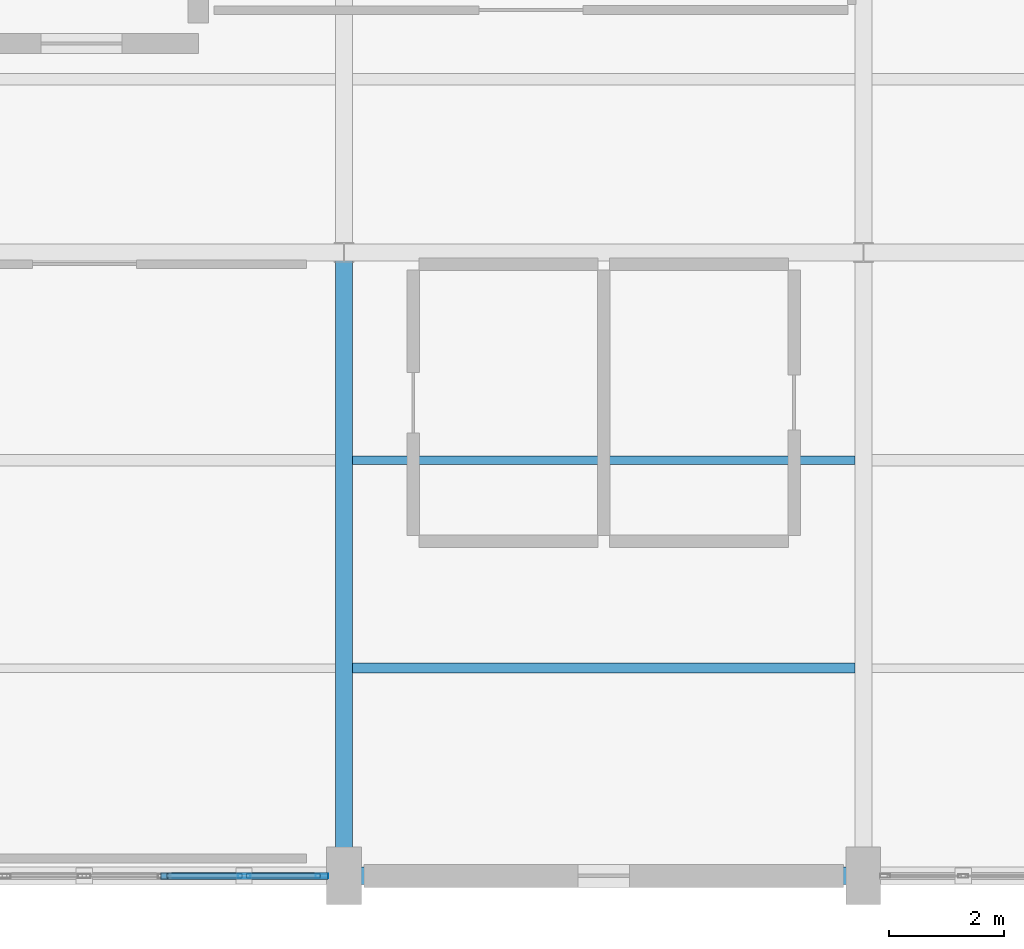
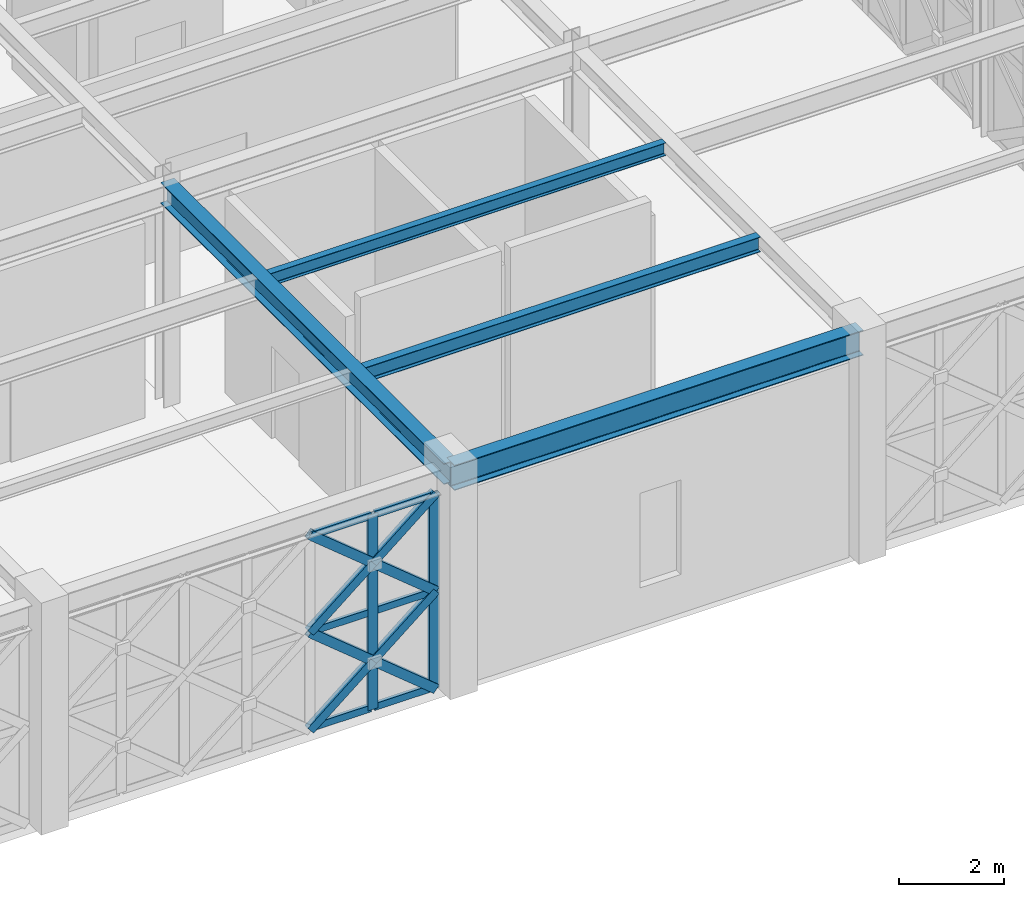
# One storey, part 32 of 166: 14 members, 4 beams, 1 element without a shape of its own.
"""IFC4 building model written with IfcOpenShell, lengths in metres."""

from ifc_helpers import new_model, si_unit, direction, frame, origin, origin_2d, place, context, subcontext, project, spatial, hollow_rectangle, i_section, extrude, material, material_profile, profile_set, type_object, element, aggregate, save


model = new_model("IFC4")

# Units and contexts
model_context = context("Model", 3, precision=1e-05, world=origin(), true_north=direction((0.0, 1.0)))
body_context = subcontext(model_context, "Body", "Model", "MODEL_VIEW")
ifc_project = project(units=[si_unit("LENGTHUNIT", "METRE"), si_unit("AREAUNIT", "SQUARE_METRE"), si_unit("VOLUMEUNIT", "CUBIC_METRE"), si_unit("PLANEANGLEUNIT", "RADIAN"), si_unit("MASSUNIT", "GRAM", prefix="KILO")], contexts=[model_context])

# Site, building, storey
site_placement = place(None, origin())
site = spatial("IfcSite", under=ifc_project, at=site_placement, CompositionType="ELEMENT")
building_placement = place(site_placement, origin())
building = spatial("IfcBuilding", under=site, at=building_placement, Name="Haizhuo Lancet Aquarium", CompositionType="ELEMENT")
storey_placement = place(building_placement, frame((0.0, 0.0, 5.39990234375)))
storey = spatial("IfcBuildingStorey", under=building, at=storey_placement, Name="L01", CompositionType="ELEMENT", Elevation=5.39990234375)

# Beams
ifc_material_1 = material(Name="Steel S355", Category="steel")
ifc_material_profile_1 = material_profile(ifc_material_1, i_section(OverallWidth=0.300048828125, OverallDepth=0.488037109375, WebThickness=0.010986328125, FlangeThickness=0.01806640625, FilletRadius=0.02392578125, at=origin_2d()), Name="HM 488x300x11x18")
ifc_profile_set_1 = profile_set([ifc_material_profile_1], Name="Steel S355")
beam_type_1 = type_object("IfcBeamType", Name="BM-ST-HM488", PredefinedType="BEAM", material=ifc_profile_set_1)
beam_1_placement = place(storey_placement, frame((0.0, -55.800048828125, 4.89599609375), z_axis=(0.0, 1.0, 0.0), x_axis=(-1.0, 0.0, 0.0)))
element("IfcBeam", 1, at=beam_1_placement, inside=storey, type_object=beam_type_1, Name="L01 V4 primary girder BM-L01-V4-014", PredefinedType="BEAM", context=body_context, shape_type="SweptSolid", body=[
    extrude(i_section(OverallWidth=0.300048828125, OverallDepth=0.488037109375, WebThickness=0.010986328125, FlangeThickness=0.01806640625, FilletRadius=0.02392578125, at=origin_2d()), origin(), (0.0, 0.0, 1.0), 10.800048828125),
])
ifc_material_profile_2 = material_profile(ifc_material_1, i_section(OverallWidth=0.300048828125, OverallDepth=0.587890625, WebThickness=0.011962890625, FlangeThickness=0.02001953125, FilletRadius=0.02587890625, at=origin_2d()), Name="HM 588x300x12x20")
ifc_profile_set_2 = profile_set([ifc_material_profile_2], Name="Steel S355")
beam_type_2 = type_object("IfcBeamType", Name="BM-ST-HM588", PredefinedType="BEAM", material=ifc_profile_set_2)
beam_2_placement = place(storey_placement, frame((0.0, -55.800048828125, 4.84619140625), z_axis=(1.0, 0.0, 0.0), x_axis=(0.0, 1.0, 0.0)))
element("IfcBeam", 2, at=beam_2_placement, inside=storey, type_object=beam_type_2, Name="L01 V4 primary girder BM-L01-V4-015", PredefinedType="BEAM", context=body_context, shape_type="SweptSolid", body=[
    extrude(i_section(OverallWidth=0.300048828125, OverallDepth=0.587890625, WebThickness=0.011962890625, FlangeThickness=0.02001953125, FilletRadius=0.02587890625, at=origin_2d()), origin(), (0.0, 0.0, 1.0), 9.0),
])

# Curtain wall, members
ifc_material_2 = material(Name="Aluminium 6063-T6", Category="aluminium")
curtain_wall_type = type_object("IfcCurtainWallType", Name="CWO-8310x4550", PredefinedType="NOTDEFINED", material=ifc_material_2)
curtain_wall_placement = place(storey_placement, origin())
curtain_wall = element("IfcCurtainWall", 3, at=curtain_wall_placement, inside=storey, type_object=curtain_wall_type, Name="L01 curtain wall CW-V4-L01-098", PredefinedType="NOTDEFINED")
ifc_material_profile_3 = material_profile(ifc_material_2, hollow_rectangle(XDim=0.074951171875, YDim=0.219970703125, WallThickness=0.0048828125, at=origin_2d()), Name="ALU-M 75x220x5")
ifc_profile_set_3 = profile_set([ifc_material_profile_3], Name="Aluminium 6063-T6")
member_type_1 = type_object("IfcMemberType", Name="CW-MUL-2", PredefinedType="MULLION", material=ifc_profile_set_3)
member_1_placement = place(storey_placement, frame((-0.382080078125, -55.800048828125, 0.0), z_axis=(0.0, 0.0, 1.0), x_axis=(0.0, -1.0, 0.0)))
member_1 = element("IfcMember", 4, at=member_1_placement, type_object=member_type_1, Name="CWO-83x45 mullion 1", PredefinedType="MULLION", context=body_context, shape_type="SweptSolid", body=[
    extrude(hollow_rectangle(XDim=0.074951171875, YDim=0.219970703125, WallThickness=0.0048828125, at=origin_2d()), origin(), (0.0, 0.0, 1.0), 4.552001953125),
])
member_2_placement = place(storey_placement, frame((-1.72998046875, -55.800048828125, 0.0), z_axis=(0.0, 0.0, 1.0), x_axis=(0.0, -1.0, 0.0)))
member_2 = element("IfcMember", 5, at=member_2_placement, type_object=member_type_1, Name="CWO-83x45 mullion 2", PredefinedType="MULLION", context=body_context, shape_type="SweptSolid", body=[
    extrude(hollow_rectangle(XDim=0.074951171875, YDim=0.219970703125, WallThickness=0.0048828125, at=origin_2d()), origin(), (0.0, 0.0, 1.0), 4.552001953125),
])
ifc_material_profile_4 = material_profile(ifc_material_2, hollow_rectangle(XDim=0.074951171875, YDim=0.159912109375, WallThickness=0.00390625, at=origin_2d()), Name="ALU-T 75x160x4")
ifc_profile_set_4 = profile_set([ifc_material_profile_4], Name="Aluminium 6063-T6")
member_type_2 = type_object("IfcMemberType", Name="CW-TRN-2", PredefinedType="NOTDEFINED", material=ifc_profile_set_4)
member_3_placement = place(storey_placement, frame((-0.419921875, -55.800048828125, 0.0380859375), z_axis=(-1.0, 0.0, 0.0), x_axis=(0.0, -1.0, 0.0)))
member_3 = element("IfcMember", 6, at=member_3_placement, type_object=member_type_2, Name="CWO-83x45 transom 1.1", ObjectType="TRANSOM", PredefinedType="USERDEFINED", context=body_context, shape_type="SweptSolid", body=[
    extrude(hollow_rectangle(XDim=0.074951171875, YDim=0.159912109375, WallThickness=0.00390625, at=origin_2d()), origin(), (0.0, 0.0, 1.0), 1.27197265625),
])
member_4_placement = place(storey_placement, frame((-0.419921875, -55.800048828125, 2.276123046875), z_axis=(-1.0, 0.0, 0.0), x_axis=(0.0, -1.0, 0.0)))
member_4 = element("IfcMember", 7, at=member_4_placement, type_object=member_type_2, Name="CWO-83x45 transom 1.2", ObjectType="TRANSOM", PredefinedType="USERDEFINED", context=body_context, shape_type="SweptSolid", body=[
    extrude(hollow_rectangle(XDim=0.074951171875, YDim=0.159912109375, WallThickness=0.00390625, at=origin_2d()), origin(), (0.0, 0.0, 1.0), 1.27197265625),
])
member_5_placement = place(storey_placement, frame((-0.419921875, -55.800048828125, 4.51513671875), z_axis=(-1.0, 0.0, 0.0), x_axis=(0.0, -1.0, 0.0)))
member_5 = element("IfcMember", 8, at=member_5_placement, type_object=member_type_2, Name="CWO-83x45 transom 1.3", ObjectType="TRANSOM", PredefinedType="USERDEFINED", context=body_context, shape_type="SweptSolid", body=[
    extrude(hollow_rectangle(XDim=0.074951171875, YDim=0.159912109375, WallThickness=0.00390625, at=origin_2d()), origin(), (0.0, 0.0, 1.0), 1.27197265625),
])
member_6_placement = place(storey_placement, frame((-1.76708984375, -55.800048828125, 0.0380859375), z_axis=(-1.0, 0.0, 0.0), x_axis=(0.0, -1.0, 0.0)))
member_6 = element("IfcMember", 9, at=member_6_placement, type_object=member_type_2, Name="CWO-83x45 transom 2.1", ObjectType="TRANSOM", PredefinedType="USERDEFINED", context=body_context, shape_type="SweptSolid", body=[
    extrude(hollow_rectangle(XDim=0.074951171875, YDim=0.159912109375, WallThickness=0.00390625, at=origin_2d()), origin(), (0.0, 0.0, 1.0), 1.309814453125),
])
member_7_placement = place(storey_placement, frame((-1.76708984375, -55.800048828125, 2.276123046875), z_axis=(-1.0, 0.0, 0.0), x_axis=(0.0, -1.0, 0.0)))
member_7 = element("IfcMember", 10, at=member_7_placement, type_object=member_type_2, Name="CWO-83x45 transom 2.2", ObjectType="TRANSOM", PredefinedType="USERDEFINED", context=body_context, shape_type="SweptSolid", body=[
    extrude(hollow_rectangle(XDim=0.074951171875, YDim=0.159912109375, WallThickness=0.00390625, at=origin_2d()), origin(), (0.0, 0.0, 1.0), 1.309814453125),
])
member_8_placement = place(storey_placement, frame((-1.76708984375, -55.800048828125, 4.51513671875), z_axis=(-1.0, 0.0, 0.0), x_axis=(0.0, -1.0, 0.0)))
member_8 = element("IfcMember", 11, at=member_8_placement, type_object=member_type_2, Name="CWO-83x45 transom 2.3", ObjectType="TRANSOM", PredefinedType="USERDEFINED", context=body_context, shape_type="SweptSolid", body=[
    extrude(hollow_rectangle(XDim=0.074951171875, YDim=0.159912109375, WallThickness=0.00390625, at=origin_2d()), origin(), (0.0, 0.0, 1.0), 1.309814453125),
])
aggregate(curtain_wall, [member_1, member_2, member_3, member_4, member_5, member_6, member_7, member_8])

# Beams
ifc_material_profile_5 = material_profile(ifc_material_1, i_section(OverallWidth=0.14990234375, OverallDepth=0.300048828125, WebThickness=0.006591796875, FlangeThickness=0.009033203125, FilletRadius=0.012939453125, at=origin_2d()), Name="HN 300x150x6.5x9")
ifc_profile_set_5 = profile_set([ifc_material_profile_5], Name="Steel S355")
beam_type_3 = type_object("IfcBeamType", Name="JST-ST-HN300", PredefinedType="JOIST", material=ifc_profile_set_5)
beam_3_placement = place(storey_placement, frame((0.14990234375, -48.60009765625, 4.989990234375), z_axis=(1.0, 0.0, 0.0), x_axis=(0.0, 1.0, 0.0)))
element("IfcBeam", 12, at=beam_3_placement, inside=storey, type_object=beam_type_3, Name="L01 V4 secondary floor joist 12", PredefinedType="JOIST", context=body_context, shape_type="SweptSolid", body=[
    extrude(i_section(OverallWidth=0.14990234375, OverallDepth=0.300048828125, WebThickness=0.006591796875, FlangeThickness=0.009033203125, FilletRadius=0.012939453125, at=origin_2d()), origin(), (0.0, 0.0, 1.0), 8.7001953125),
])
ifc_material_profile_6 = material_profile(ifc_material_1, i_section(OverallWidth=0.175048828125, OverallDepth=0.35009765625, WebThickness=0.007080078125, FlangeThickness=0.010986328125, FilletRadius=0.013916015625, at=origin_2d()), Name="HN 350x175x7x11")
ifc_profile_set_6 = profile_set([ifc_material_profile_6], Name="Steel S355")
beam_type_4 = type_object("IfcBeamType", Name="JST-ST-HN350", PredefinedType="JOIST", material=ifc_profile_set_6)
beam_4_placement = place(storey_placement, frame((0.14990234375, -52.199951171875, 4.965087890625), z_axis=(1.0, 0.0, 0.0), x_axis=(0.0, 1.0, 0.0)))
element("IfcBeam", 13, at=beam_4_placement, inside=storey, type_object=beam_type_4, Name="L01 V4 secondary floor joist 11", PredefinedType="JOIST", context=body_context, shape_type="SweptSolid", body=[
    extrude(i_section(OverallWidth=0.175048828125, OverallDepth=0.35009765625, WebThickness=0.007080078125, FlangeThickness=0.010986328125, FilletRadius=0.013916015625, at=origin_2d()), origin(), (0.0, 0.0, 1.0), 8.7001953125),
])

# Members
ifc_material_profile_7 = material_profile(ifc_material_1, hollow_rectangle(XDim=0.1201171875, YDim=0.199951171875, WallThickness=0.008056640625, at=origin_2d()), Name="RHS 120x200x8")
ifc_profile_set_7 = profile_set([ifc_material_profile_7], Name="Steel S355")
member_type_3 = type_object("IfcMemberType", Name="MEM-LB-RHS120x200", PredefinedType="BRACE", material=ifc_profile_set_7)
member_9_placement = place(storey_placement, frame((-0.344970703125, -55.800048828125, 0.0), z_axis=(-0.772623658743, 0.0, 0.634864301997), x_axis=(0.0, -1.0, 0.0)))
element("IfcMember", 14, at=member_9_placement, inside=storey, type_object=member_type_3, Name="Gothic lancet continuous diagonal brace CW-V4-L01-098 1A", PredefinedType="BRACE", context=body_context, shape_type="SweptSolid", body=[
    extrude(hollow_rectangle(XDim=0.1201171875, YDim=0.199951171875, WallThickness=0.008056640625, at=origin_2d()), origin(), (0.0, 0.0, 1.0), 3.585205078125),
])
member_10_placement = place(storey_placement, frame((-3.114990234375, -55.800048828125, 0.0), z_axis=(0.77259025699, 0.0, 0.634904949425), x_axis=(0.0, 1.0, 0.0)))
element("IfcMember", 15, at=member_10_placement, inside=storey, type_object=member_type_3, Name="Gothic lancet split diagonal brace CW-V4-L01-098 1B1", PredefinedType="BRACE", context=body_context, shape_type="SweptSolid", body=[
    extrude(hollow_rectangle(XDim=0.1201171875, YDim=0.199951171875, WallThickness=0.008056640625, at=origin_2d()), origin(), (0.0, 0.0, 1.0), 1.792724609375),
])
member_11_placement = place(storey_placement, frame((-1.72998046875, -55.800048828125, 1.13818359375), z_axis=(0.772657061245, 0.0, 0.634823649298), x_axis=(0.0, 1.0, 0.0)))
element("IfcMember", 16, at=member_11_placement, inside=storey, type_object=member_type_3, Name="Gothic lancet split diagonal brace CW-V4-L01-098 1B2", PredefinedType="BRACE", context=body_context, shape_type="SweptSolid", body=[
    extrude(hollow_rectangle(XDim=0.1201171875, YDim=0.199951171875, WallThickness=0.008056640625, at=origin_2d()), origin(), (0.0, 0.0, 1.0), 1.79248046875),
])
member_12_placement = place(storey_placement, frame((-0.344970703125, -55.800048828125, 2.276123046875), z_axis=(-0.772657061245, 0.0, 0.634823649298), x_axis=(0.0, -1.0, 0.0)))
element("IfcMember", 17, at=member_12_placement, inside=storey, type_object=member_type_3, Name="Gothic lancet continuous diagonal brace CW-V4-L01-098 2A", PredefinedType="BRACE", context=body_context, shape_type="SweptSolid", body=[
    extrude(hollow_rectangle(XDim=0.1201171875, YDim=0.199951171875, WallThickness=0.008056640625, at=origin_2d()), origin(), (0.0, 0.0, 1.0), 3.5849609375),
])
for number, where, z_axis, x_axis, name in (
    (18, (-3.114990234375, -55.800048828125, 2.276123046875), (0.772657061245, 0.0, 0.634823649298), (0.0, 1.0, 0.0), "Gothic lancet split diagonal brace CW-V4-L01-098 2B1"),
    (19, (-1.72998046875, -55.800048828125, 3.4140625), (0.772657061245, 0.0, 0.634823649298), (0.0, 1.0, 0.0), "Gothic lancet split diagonal brace CW-V4-L01-098 2B2"),
):
    element("IfcMember", number, at=place(storey_placement, frame(where, z_axis=z_axis, x_axis=x_axis)), inside=storey, type_object=member_type_3, Name=name, PredefinedType="BRACE", context=body_context, shape_type="SweptSolid", body=[
        extrude(hollow_rectangle(XDim=0.1201171875, YDim=0.199951171875, WallThickness=0.008056640625, at=origin_2d()), origin(), (0.0, 0.0, 1.0), 1.79248046875),
    ])

save(model, "model.ifc")
